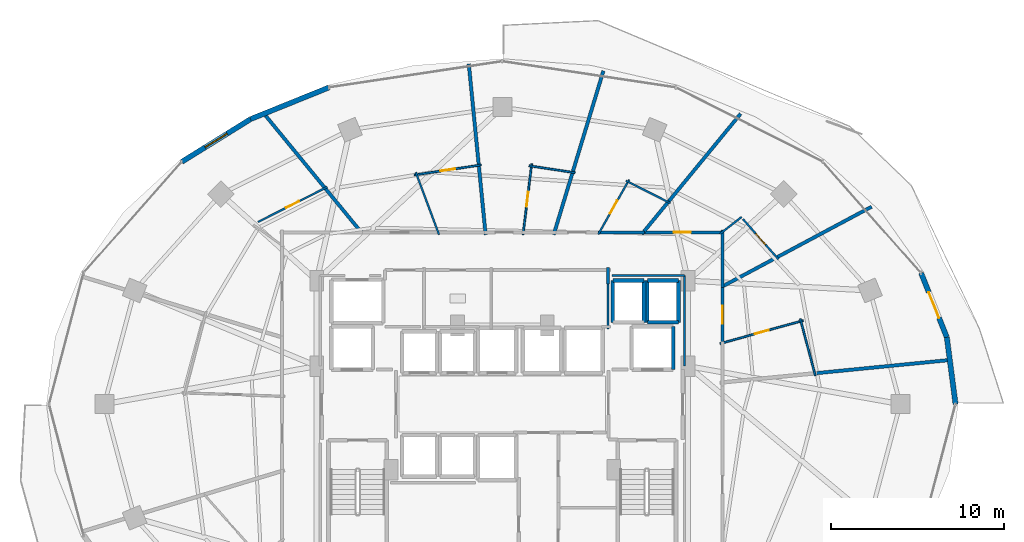
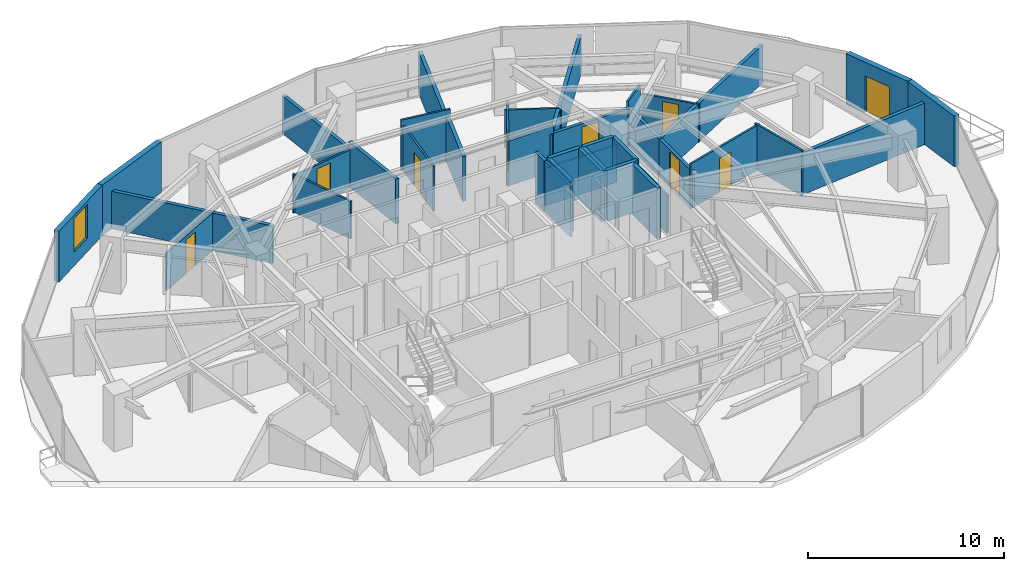
# One storey, part 25 of 29: 40 walls, 9 doors, 1 window, 10 openings.
"""IFC4 building model written with IfcOpenShell, lengths in metres."""

from ifc_helpers import new_model, si_unit, direction, frame, frame_2d, origin, place, context, subcontext, project, spatial, rectangle, extrude, material, layer, layer_set, type_object, element, fill, save


model = new_model("IFC4")

# Units and contexts
model_context = context("Model", 3, precision=1e-05, world=origin(), true_north=direction((0.0, 1.0)))
body_context = subcontext(model_context, "Body", "Model", "MODEL_VIEW")
ifc_project = project(units=[si_unit("LENGTHUNIT", "METRE"), si_unit("AREAUNIT", "SQUARE_METRE"), si_unit("VOLUMEUNIT", "CUBIC_METRE"), si_unit("PLANEANGLEUNIT", "RADIAN"), si_unit("MASSUNIT", "GRAM", prefix="KILO")], contexts=[model_context])

# Site, building, storey
site_placement = place(None, origin())
site = spatial("IfcSite", under=ifc_project, at=site_placement, CompositionType="ELEMENT")
building_placement = place(site_placement, origin())
building = spatial("IfcBuilding", under=site, at=building_placement, Name="Vorneva Point Tower", CompositionType="ELEMENT")
storey_placement = place(building_placement, frame((0.0, 0.0, 120.800048828125)))
storey = spatial("IfcBuildingStorey", under=building, at=storey_placement, Name="L32", CompositionType="ELEMENT", Elevation=120.800048828125)

# Walls
ifc_material_1 = material(Name="Concrete B60 (C50/60)", Category="concrete")
ifc_layer_1 = layer(ifc_material_1, 0.5)
ifc_layer_set_1 = layer_set([ifc_layer_1], Name="Concrete B60 (C50/60)")
wall_type_1 = type_object("IfcWallType", Name="WL-CORE-500", PredefinedType="SHEAR", material=ifc_layer_set_1)
wall_1_placement = place(storey_placement, frame((47.89990234375, 28.0, 0.0), z_axis=(0.0, 0.0, 1.0), x_axis=(0.0, 1.0, 0.0)))
element("IfcWall", 1, at=wall_1_placement, inside=storey, type_object=wall_type_1, Name="L32 Lift FFL2 Shaft Wall +X", PredefinedType="SHEAR", context=body_context, shape_type="SweptSolid", body=[
    extrude(rectangle(XDim=2.5, YDim=0.219970703125, at=frame_2d((1.25, 0.0))), origin(), (0.0, 0.0, 1.0), 3.14990234375),
])
ifc_material_2 = material(Name="Precast concrete B50 (C40/50)", Category="concrete")
ifc_layer_2 = layer(ifc_material_2, 0.300048828125)
ifc_layer_set_2 = layer_set([ifc_layer_2], Name="Precast concrete B50 (C40/50)")
wall_type_2 = type_object("IfcWallType", Name="WL-EXT-300", PredefinedType="STANDARD", material=ifc_layer_set_2)
wall_2_placement = place(storey_placement, frame((64.25, 26.0, 0.0), z_axis=(0.0, 0.0, 1.0), x_axis=(-0.129157444793, 0.991624099372, 0.0)))
element("IfcWall", 2, at=wall_2_placement, inside=storey, type_object=wall_type_2, Name="L32 Pale-Metal Facade Spandrel Wall 01.1", PredefinedType="STANDARD", context=body_context, shape_type="SweptSolid", body=[
    extrude(rectangle(XDim=3.9052734375, YDim=0.300048828125, at=frame_2d((1.95263671875, 0.0))), origin(), (0.0, 0.0, 1.0), 3.14990234375),
])

# Wall, opening, door
wall_3_placement = place(storey_placement, frame((63.74560546875, 29.87255859375, 0.0), z_axis=(0.0, 0.0, 1.0), x_axis=(-0.372345205928, 0.92809430966, 0.0)))
wall_3 = element("IfcWall", 3, at=wall_3_placement, inside=storey, type_object=wall_type_2, Name="L32 Pale-Metal Facade Spandrel Wall 01.2", PredefinedType="STANDARD", context=body_context, shape_type="SweptSolid", body=[
    extrude(rectangle(XDim=4.01220703125, YDim=0.300048828125, at=frame_2d((2.006103515625, 0.0))), origin(), (0.0, 0.0, 1.0), 3.14990234375),
])
opening_1_placement = place(wall_3_placement, frame((1.2060546875, 0.0, 0.0)))
opening_1 = element("IfcOpeningElement", 4, at=opening_1_placement, cuts=wall_3, Name="Opening BD-01", PredefinedType="OPENING", context=body_context, shape_type="SweptSolid", body=[
    extrude(rectangle(XDim=1.60009765625, YDim=2.300048828125, at=frame_2d((0.800048828125, 1.14990234375))), frame((0.0, 0.1650390625, 0.0), z_axis=(0.0, -1.0, 0.0), x_axis=(1.0, 0.0, 0.0)), (0.0, 0.0, 1.0), 0.329833984375),
])
ifc_material_3 = material(Name="Pale anodised aluminium", Category="aluminium")
door_type_1 = type_object("IfcDoorType", Name="DR-BAL-1600", OperationType="SLIDING_TO_LEFT", PredefinedType="DOOR", material=ifc_material_3)
door_1_placement = place(opening_1_placement, origin())
door_1 = element("IfcDoor", 5, at=door_1_placement, inside=storey, type_object=door_type_1, Name="L32 Balcony Terrace Access Door 01", OperationType="SLIDING_TO_LEFT", OverallHeight=2.300048828125, OverallWidth=1.60009765625, PredefinedType="DOOR", context=body_context, shape_type="SweptSolid", body=[
    extrude(rectangle(XDim=1.60009765625, YDim=2.300048828125, at=frame_2d((0.800048828125, 1.14990234375))), frame((0.0, 0.02490234375, 0.0), z_axis=(0.0, -1.0, 0.0), x_axis=(1.0, 0.0, 0.0)), (0.0, 0.0, 1.0), 0.050048828125),
])
fill(opening_1, door_1)

# Wall
wall_4_placement = place(storey_placement, frame((27.95458984375, 44.339111328125, 0.0), z_axis=(0.0, 0.0, 1.0), x_axis=(-0.927122233109, -0.374759075775, 0.0)))
element("IfcWall", 6, at=wall_4_placement, inside=storey, type_object=wall_type_2, Name="L32 Pale-Metal Facade Spandrel Wall 06.1", PredefinedType="STANDARD", context=body_context, shape_type="SweptSolid", body=[
    extrude(rectangle(XDim=4.89501953125, YDim=0.300048828125, at=frame_2d((2.447509765625, 0.0))), origin(), (0.0, 0.0, 1.0), 3.14990234375),
])

# Wall, opening, window
wall_5_placement = place(storey_placement, frame((23.416259765625, 42.504638671875, 0.0), z_axis=(0.0, 0.0, 1.0), x_axis=(-0.849684479743, -0.527291461038, 0.0)))
wall_5 = element("IfcWall", 7, at=wall_5_placement, inside=storey, type_object=wall_type_2, Name="L32 Pale-Metal Facade Spandrel Wall 06.2", PredefinedType="STANDARD", context=body_context, shape_type="SweptSolid", body=[
    extrude(rectangle(XDim=4.681396484375, YDim=0.300048828125, at=frame_2d((2.3408203125, 0.0))), origin(), (0.0, 0.0, 1.0), 3.14990234375),
])
opening_2_placement = place(wall_5_placement, frame((1.5908203125, 0.0, 0.85009765625)))
opening_2 = element("IfcOpeningElement", 8, at=opening_2_placement, cuts=wall_5, Name="Opening W-02", PredefinedType="OPENING", context=body_context, shape_type="SweptSolid", body=[
    extrude(rectangle(XDim=1.5, YDim=2.10009765625, at=frame_2d((0.75, 1.050048828125))), frame((0.0, 0.1650390625, 0.0), z_axis=(0.0, -1.0, 0.0), x_axis=(1.0, 0.0, 0.0)), (0.0, 0.0, 1.0), 0.329833984375),
])
ifc_material_4 = material(Name="Double low-e laminated glass IGU", Category="glass")
window_type = type_object("IfcWindowType", Name="WN-HTL-1500", PartitioningType="SINGLE_PANEL", PredefinedType="WINDOW", material=ifc_material_4)
window_placement = place(opening_2_placement, origin())
window = element("IfcWindow", 9, at=window_placement, inside=storey, type_object=window_type, Name="L32 Facade Window 06", OverallHeight=2.10009765625, OverallWidth=1.5, PartitioningType="SINGLE_PANEL", PredefinedType="WINDOW", context=body_context, shape_type="SweptSolid", body=[
    extrude(rectangle(XDim=1.5, YDim=2.10009765625, at=frame_2d((0.75, 1.050048828125))), frame((0.0, 0.030029296875, 0.0), z_axis=(0.0, -1.0, 0.0), x_axis=(1.0, 0.0, 0.0)), (0.0, 0.0, 1.0), 0.06005859375),
])
fill(opening_2, window)

# Wall
ifc_material_5 = material(Name="Fire-rated acoustic gypsum stud partition", Category="gypsum")
ifc_layer_3 = layer(ifc_material_5, 0.110107421875)
ifc_layer_set_3 = layer_set([ifc_layer_3], Name="Fire-rated acoustic gypsum stud partition")
wall_type_3 = type_object("IfcWallType", Name="WL-PART-110", PredefinedType="PARTITIONING", material=ifc_layer_set_3)
wall_6_placement = place(storey_placement, frame((55.260498046875, 30.9404296875, 0.0), z_axis=(0.0, 0.0, 1.0), x_axis=(0.254323935255, -0.967119090886, 0.0)))
element("IfcWall", 10, at=wall_6_placement, inside=storey, type_object=wall_type_3, Name="L32 Interior Partition 048", PredefinedType="PARTITIONING", context=body_context, shape_type="SweptSolid", body=[
    extrude(rectangle(XDim=3.406005859375, YDim=0.110107421875, at=frame_2d((1.703125, 0.0))), origin(), (0.0, 0.0, 1.0), 2.8388671875),
])

# Wall, opening, door
wall_7_placement = place(storey_placement, frame((50.614990234375, 29.50439453125, 0.0), z_axis=(0.0, 0.0, 1.0), x_axis=(0.963498313434, 0.267714400078, 0.0)))
wall_7 = element("IfcWall", 11, at=wall_7_placement, inside=storey, type_object=wall_type_3, Name="L32 Interior Partition 049", PredefinedType="PARTITIONING", context=body_context, shape_type="SweptSolid", body=[
    extrude(rectangle(XDim=4.998291015625, YDim=0.110107421875, at=frame_2d((2.4990234375, 0.0))), origin(), (0.0, 0.0, 1.0), 2.783935546875),
])
opening_3_placement = place(wall_7_placement, frame((2.07421875, 0.0, 0.0)))
opening_3 = element("IfcOpeningElement", 12, at=opening_3_placement, cuts=wall_7, Name="Opening ID-02", PredefinedType="OPENING", context=body_context, shape_type="SweptSolid", body=[
    extrude(rectangle(XDim=0.85009765625, YDim=2.10009765625, at=frame_2d((0.425048828125, 1.050048828125))), frame((0.0, 0.06982421875, 0.0), z_axis=(0.0, -1.0, 0.0), x_axis=(1.0, 0.0, 0.0)), (0.0, 0.0, 1.0), 0.139892578125),
])
ifc_material_6 = material(Name="Engineered oak fire-rated door leaf", Category="wood")
door_type_2 = type_object("IfcDoorType", Name="DR-BATH-850", OperationType="NOTDEFINED", PredefinedType="DOOR", material=ifc_material_6)
door_2_placement = place(opening_3_placement, origin())
door_2 = element("IfcDoor", 13, at=door_2_placement, inside=storey, type_object=door_type_2, Name="L32 Door Junior Suite L32-01 / En-Suite Bathroom L32-01", OperationType="SINGLE_SWING_LEFT", OverallHeight=2.10009765625, OverallWidth=0.85009765625, PredefinedType="DOOR", context=body_context, shape_type="SweptSolid", body=[
    extrude(rectangle(XDim=0.85009765625, YDim=2.10009765625, at=frame_2d((0.425048828125, 1.050048828125))), frame((0.0, 0.02490234375, 0.0), z_axis=(0.0, -1.0, 0.0), x_axis=(1.0, 0.0, 0.0)), (0.0, 0.0, 1.0), 0.050048828125),
])
fill(opening_3, door_2)

wall_8_placement = place(storey_placement, frame((51.936279296875, 36.7138671875, 0.0), z_axis=(0.0, 0.0, 1.0), x_axis=(0.662322264705, -0.749219071885, 0.0)))
wall_8 = element("IfcWall", 14, at=wall_8_placement, inside=storey, type_object=wall_type_3, Name="L32 Interior Partition 053", PredefinedType="PARTITIONING", context=body_context, shape_type="SweptSolid", body=[
    extrude(rectangle(XDim=3.098876953125, YDim=0.110107421875, at=frame_2d((1.54931640625, 0.0))), origin(), (0.0, 0.0, 1.0), 2.342041015625),
])
opening_4_placement = place(wall_8_placement, frame((1.12451171875, 0.0, 0.0)))
opening_4 = element("IfcOpeningElement", 15, at=opening_4_placement, cuts=wall_8, Name="Opening ID-02", PredefinedType="OPENING", context=body_context, shape_type="SweptSolid", body=[
    extrude(rectangle(XDim=0.85009765625, YDim=2.10009765625, at=frame_2d((0.425048828125, 1.050048828125))), frame((0.0, 0.06982421875, 0.0), z_axis=(0.0, -1.0, 0.0), x_axis=(1.0, 0.0, 0.0)), (0.0, 0.0, 1.0), 0.139892578125),
])
door_3_placement = place(opening_4_placement, origin())
door_3 = element("IfcDoor", 16, at=door_3_placement, inside=storey, type_object=door_type_2, Name="L32 Door King Guest Room L32-02 / En-Suite Bathroom L32-02", OperationType="SINGLE_SWING_RIGHT", OverallHeight=2.10009765625, OverallWidth=0.85009765625, PredefinedType="DOOR", context=body_context, shape_type="SweptSolid", body=[
    extrude(rectangle(XDim=0.85009765625, YDim=2.10009765625, at=frame_2d((0.425048828125, 1.050048828125))), frame((0.0, 0.02490234375, 0.0), z_axis=(0.0, -1.0, 0.0), x_axis=(1.0, 0.0, 0.0)), (0.0, 0.0, 1.0), 0.050048828125),
])
fill(opening_4, door_3)

# Wall
wall_9_placement = place(storey_placement, frame((50.61376953125, 35.86376953125, 0.0), z_axis=(0.0, 0.0, 1.0), x_axis=(0.787635392766, 0.616141613643, 0.0)))
element("IfcWall", 17, at=wall_9_placement, inside=storey, type_object=wall_type_3, Name="L32 Interior Partition 054", PredefinedType="PARTITIONING", context=body_context, shape_type="SweptSolid", body=[
    extrude(rectangle(XDim=1.580322265625, YDim=0.110107421875, at=frame_2d((0.7900390625, 0.0))), origin(), (0.0, 0.0, 1.0), 2.8388671875),
])

# Wall, opening, door
wall_10_placement = place(storey_placement, frame((43.55517578125, 35.828125, 0.0), z_axis=(0.0, 0.0, 1.0), x_axis=(0.492041800526, 0.870571574619, 0.0)))
wall_10 = element("IfcWall", 18, at=wall_10_placement, inside=storey, type_object=wall_type_3, Name="L32 Interior Partition 057", PredefinedType="PARTITIONING", context=body_context, shape_type="SweptSolid", body=[
    extrude(rectangle(XDim=3.6435546875, YDim=0.110107421875, at=frame_2d((1.82177734375, 0.0))), origin(), (0.0, 0.0, 1.0), 2.783935546875),
])
opening_5_placement = place(wall_10_placement, frame((1.396728515625, 0.0, 0.0)))
opening_5 = element("IfcOpeningElement", 19, at=opening_5_placement, cuts=wall_10, Name="Opening ID-02", PredefinedType="OPENING", context=body_context, shape_type="SweptSolid", body=[
    extrude(rectangle(XDim=0.85009765625, YDim=2.10009765625, at=frame_2d((0.425048828125, 1.050048828125))), frame((0.0, 0.06982421875, 0.0), z_axis=(0.0, -1.0, 0.0), x_axis=(1.0, 0.0, 0.0)), (0.0, 0.0, 1.0), 0.139892578125),
])
door_4_placement = place(opening_5_placement, origin())
door_4 = element("IfcDoor", 20, at=door_4_placement, inside=storey, type_object=door_type_2, Name="L32 Door Twin Guest Room L32-03 / En-Suite Bathroom L32-03", OperationType="SINGLE_SWING_LEFT", OverallHeight=2.10009765625, OverallWidth=0.85009765625, PredefinedType="DOOR", context=body_context, shape_type="SweptSolid", body=[
    extrude(rectangle(XDim=0.85009765625, YDim=2.10009765625, at=frame_2d((0.425048828125, 1.050048828125))), frame((0.0, 0.02490234375, 0.0), z_axis=(0.0, -1.0, 0.0), x_axis=(1.0, 0.0, 0.0)), (0.0, 0.0, 1.0), 0.050048828125),
])
fill(opening_5, door_4)

# Wall
wall_11_placement = place(storey_placement, frame((45.154052734375, 38.941162109375, 0.0), z_axis=(0.0, 0.0, 1.0), x_axis=(0.892575386964, -0.450898190932, 0.0)))
element("IfcWall", 21, at=wall_11_placement, inside=storey, type_object=wall_type_3, Name="L32 Interior Partition 058", PredefinedType="PARTITIONING", context=body_context, shape_type="SweptSolid", body=[
    extrude(rectangle(XDim=2.885986328125, YDim=0.110107421875, at=frame_2d((1.44287109375, 0.0))), origin(), (0.0, 0.0, 1.0), 2.342041015625),
])

# Wall, opening, door
wall_12_placement = place(storey_placement, frame((39.199951171875, 35.81103515625, 0.0), z_axis=(0.0, 0.0, 1.0), x_axis=(0.121465313896, 0.992595676759, 0.0)))
wall_12 = element("IfcWall", 22, at=wall_12_placement, inside=storey, type_object=wall_type_3, Name="L32 Interior Partition 061", PredefinedType="PARTITIONING", context=body_context, shape_type="SweptSolid", body=[
    extrude(rectangle(XDim=4.140625, YDim=0.110107421875, at=frame_2d((2.0703125, 0.0))), origin(), (0.0, 0.0, 1.0), 2.783935546875),
])
opening_6_placement = place(wall_12_placement, frame((1.645263671875, 0.0, 0.0)))
opening_6 = element("IfcOpeningElement", 23, at=opening_6_placement, cuts=wall_12, Name="Opening ID-02", PredefinedType="OPENING", context=body_context, shape_type="SweptSolid", body=[
    extrude(rectangle(XDim=0.85009765625, YDim=2.10009765625, at=frame_2d((0.425048828125, 1.050048828125))), frame((0.0, 0.06982421875, 0.0), z_axis=(0.0, -1.0, 0.0), x_axis=(1.0, 0.0, 0.0)), (0.0, 0.0, 1.0), 0.139892578125),
])
door_5_placement = place(opening_6_placement, origin())
door_5 = element("IfcDoor", 24, at=door_5_placement, inside=storey, type_object=door_type_2, Name="L32 Door Deluxe Guest Room L32-04 / En-Suite Bathroom L32-04", OperationType="SINGLE_SWING_RIGHT", OverallHeight=2.10009765625, OverallWidth=0.85009765625, PredefinedType="DOOR", context=body_context, shape_type="SweptSolid", body=[
    extrude(rectangle(XDim=0.85009765625, YDim=2.10009765625, at=frame_2d((0.425048828125, 1.050048828125))), frame((0.0, 0.02490234375, 0.0), z_axis=(0.0, -1.0, 0.0), x_axis=(1.0, 0.0, 0.0)), (0.0, 0.0, 1.0), 0.050048828125),
])
fill(opening_6, door_5)

# Walls
wall_13_placement = place(storey_placement, frame((39.547607421875, 39.802734375, 0.0), z_axis=(0.0, 0.0, 1.0), x_axis=(0.988870418897, -0.148779348804, 0.0)))
element("IfcWall", 25, at=wall_13_placement, inside=storey, type_object=wall_type_3, Name="L32 Interior Partition 062", PredefinedType="PARTITIONING", context=body_context, shape_type="SweptSolid", body=[
    extrude(rectangle(XDim=2.69287109375, YDim=0.110107421875, at=frame_2d((1.346435546875, 0.0))), origin(), (0.0, 0.0, 1.0), 3.14990234375),
])
wall_14_placement = place(storey_placement, frame((34.333984375, 35.81884765625, 0.0), z_axis=(0.0, 0.0, 1.0), x_axis=(-0.349780170638, 0.93683180573, 0.0)))
element("IfcWall", 26, at=wall_14_placement, inside=storey, type_object=wall_type_3, Name="L32 Interior Partition 065", PredefinedType="PARTITIONING", context=body_context, shape_type="SweptSolid", body=[
    extrude(rectangle(XDim=3.84521484375, YDim=0.110107421875, at=frame_2d((1.922607421875, 0.0))), origin(), (0.0, 0.0, 1.0), 2.342041015625),
])

# Wall, opening, door
wall_15_placement = place(storey_placement, frame((32.899658203125, 39.269287109375, 0.0), z_axis=(0.0, 0.0, 1.0), x_axis=(0.988898406133, 0.148593210973, 0.0)))
wall_15 = element("IfcWall", 27, at=wall_15_placement, inside=storey, type_object=wall_type_3, Name="L32 Interior Partition 066", PredefinedType="PARTITIONING", context=body_context, shape_type="SweptSolid", body=[
    extrude(rectangle(XDim=3.920166015625, YDim=0.110107421875, at=frame_2d((1.9599609375, 0.0))), origin(), (0.0, 0.0, 1.0), 2.342041015625),
])
opening_7_placement = place(wall_15_placement, frame((1.53515625, 0.0, 0.0)))
opening_7 = element("IfcOpeningElement", 28, at=opening_7_placement, cuts=wall_15, Name="Opening ID-02", PredefinedType="OPENING", context=body_context, shape_type="SweptSolid", body=[
    extrude(rectangle(XDim=0.85009765625, YDim=2.10009765625, at=frame_2d((0.425048828125, 1.050048828125))), frame((0.0, 0.06982421875, 0.0), z_axis=(0.0, -1.0, 0.0), x_axis=(1.0, 0.0, 0.0)), (0.0, 0.0, 1.0), 0.139892578125),
])
door_6_placement = place(opening_7_placement, origin())
door_6 = element("IfcDoor", 29, at=door_6_placement, inside=storey, type_object=door_type_2, Name="L32 Door Executive Suite L32-05 / En-Suite Bathroom L32-05", OperationType="SINGLE_SWING_LEFT", OverallHeight=2.10009765625, OverallWidth=0.85009765625, PredefinedType="DOOR", context=body_context, shape_type="SweptSolid", body=[
    extrude(rectangle(XDim=0.85009765625, YDim=2.10009765625, at=frame_2d((0.425048828125, 1.050048828125))), frame((0.0, 0.02490234375, 0.0), z_axis=(0.0, -1.0, 0.0), x_axis=(1.0, 0.0, 0.0)), (0.0, 0.0, 1.0), 0.050048828125),
])
fill(opening_7, door_6)

wall_16_placement = place(storey_placement, frame((23.845947265625, 36.5458984375, 0.0), z_axis=(0.0, 0.0, 1.0), x_axis=(0.892540033684, 0.450968167692, 0.0)))
wall_16 = element("IfcWall", 30, at=wall_16_placement, inside=storey, type_object=wall_type_3, Name="L32 Interior Partition 068", PredefinedType="PARTITIONING", context=body_context, shape_type="SweptSolid", body=[
    extrude(rectangle(XDim=4.494873046875, YDim=0.110107421875, at=frame_2d((2.24755859375, 0.0))), origin(), (0.0, 0.0, 1.0), 2.342041015625),
])
opening_8_placement = place(wall_16_placement, frame((1.822509765625, 0.0, 0.0)))
opening_8 = element("IfcOpeningElement", 31, at=opening_8_placement, cuts=wall_16, Name="Opening ID-02", PredefinedType="OPENING", context=body_context, shape_type="SweptSolid", body=[
    extrude(rectangle(XDim=0.85009765625, YDim=2.10009765625, at=frame_2d((0.425048828125, 1.050048828125))), frame((0.0, 0.06982421875, 0.0), z_axis=(0.0, -1.0, 0.0), x_axis=(1.0, 0.0, 0.0)), (0.0, 0.0, 1.0), 0.139892578125),
])
door_7_placement = place(opening_8_placement, origin())
door_7 = element("IfcDoor", 32, at=door_7_placement, inside=storey, type_object=door_type_2, Name="L32 Door Corner Suite L32-06 / En-Suite Bathroom L32-06", OperationType="SINGLE_SWING_RIGHT", OverallHeight=2.10009765625, OverallWidth=0.85009765625, PredefinedType="DOOR", context=body_context, shape_type="SweptSolid", body=[
    extrude(rectangle(XDim=0.85009765625, YDim=2.10009765625, at=frame_2d((0.425048828125, 1.050048828125))), frame((0.0, 0.02490234375, 0.0), z_axis=(0.0, -1.0, 0.0), x_axis=(1.0, 0.0, 0.0)), (0.0, 0.0, 1.0), 0.050048828125),
])
fill(opening_8, door_7)

# Walls
ifc_layer_4 = layer(ifc_material_5, 0.139892578125)
ifc_layer_set_4 = layer_set([ifc_layer_4], Name="Fire-rated acoustic gypsum stud partition")
wall_type_4 = type_object("IfcWallType", Name="WL-PART-140", PredefinedType="PARTITIONING", material=ifc_layer_set_4)
wall_17_placement = place(storey_placement, frame((44.1201171875, 30.340087890625, 0.0), z_axis=(0.0, 0.0, 1.0), x_axis=(0.0, 1.0, 0.0)))
element("IfcWall", 33, at=wall_17_placement, inside=storey, type_object=wall_type_4, Name="L32 Interior Closure Partition 094", PredefinedType="PARTITIONING", context=body_context, shape_type="SweptSolid", body=[
    extrude(rectangle(XDim=2.659912109375, YDim=0.139892578125, at=frame_2d((1.330078125, 0.0))), origin(), (0.0, 0.0, 1.0), 3.14990234375),
])
wall_18_placement = place(storey_placement, frame((44.340087890625, 33.449951171875, 0.0), z_axis=(0.0, 0.0, 1.0), x_axis=(1.0, 0.0, 0.0)))
element("IfcWall", 34, at=wall_18_placement, inside=storey, type_object=wall_type_4, Name="L32 Interior Closure Partition 096", PredefinedType="PARTITIONING", context=body_context, shape_type="SweptSolid", body=[
    extrude(rectangle(XDim=4.2099609375, YDim=0.139892578125, at=frame_2d((2.10498046875, 0.0))), origin(), (0.0, 0.0, 1.0), 2.342041015625),
])
wall_19_placement = place(storey_placement, frame((48.550048828125, 33.449951171875, 0.0), z_axis=(0.0, 0.0, 1.0), x_axis=(0.0, -1.0, 0.0)))
element("IfcWall", 35, at=wall_19_placement, inside=storey, type_object=wall_type_4, Name="L32 Interior Closure Partition 097", PredefinedType="PARTITIONING", context=body_context, shape_type="SweptSolid", body=[
    extrude(rectangle(XDim=5.25390625, YDim=0.139892578125, at=frame_2d((2.626953125, 0.0))), origin(), (0.0, 0.0, 1.0), 2.342041015625),
])
ifc_material_7 = material(Name="Autoclaved aerated concrete blockwork", Category="masonry")
ifc_layer_5 = layer(ifc_material_7, 0.179931640625)
ifc_layer_set_5 = layer_set([ifc_layer_5], Name="Autoclaved aerated concrete blockwork")
wall_type_5 = type_object("IfcWallType", Name="WL-PART-180", PredefinedType="PARTITIONING", material=ifc_layer_set_5)
wall_20_placement = place(storey_placement, frame((44.1201171875, 32.969970703125, 0.0), z_axis=(0.0, 0.0, 1.0), x_axis=(0.0, 1.0, 0.0)))
element("IfcWall", 36, at=wall_20_placement, inside=storey, type_object=wall_type_5, Name="L32 Interior Partition 020", PredefinedType="PARTITIONING", context=body_context, shape_type="SweptSolid", body=[
    extrude(rectangle(XDim=0.929931640625, YDim=0.179931640625, at=frame_2d((0.46484375, 0.0))), origin(), (0.0, 0.0, 1.0), 3.14990234375),
])

# Wall, opening, door
wall_21_placement = place(storey_placement, frame((50.75, 29.48193359375, 0.0), z_axis=(0.0, 0.0, 1.0), x_axis=(0.0, 1.0, 0.0)))
wall_21 = element("IfcWall", 37, at=wall_21_placement, inside=storey, type_object=wall_type_5, Name="L32 Interior Partition 022", PredefinedType="PARTITIONING", context=body_context, shape_type="SweptSolid", body=[
    extrude(rectangle(XDim=3.401123046875, YDim=0.179931640625, at=frame_2d((1.70068359375, 0.0))), origin(), (0.0, 0.0, 1.0), 2.342041015625),
])
opening_9_placement = place(wall_21_placement, frame((1.175537109375, 0.0, 0.0)))
opening_9 = element("IfcOpeningElement", 38, at=opening_9_placement, cuts=wall_21, Name="Opening UD-02", PredefinedType="OPENING", context=body_context, shape_type="SweptSolid", body=[
    extrude(rectangle(XDim=1.050048828125, YDim=2.199951171875, at=frame_2d((0.52490234375, 1.10009765625))), frame((0.0, 0.10498046875, 0.0), z_axis=(0.0, -1.0, 0.0), x_axis=(1.0, 0.0, 0.0)), (0.0, 0.0, 1.0), 0.209716796875),
])
door_type_3 = type_object("IfcDoorType", Name="DR-SUITE-1050", OperationType="NOTDEFINED", PredefinedType="DOOR", material=ifc_material_6)
door_8_placement = place(opening_9_placement, origin())
door_8 = element("IfcDoor", 39, at=door_8_placement, inside=storey, type_object=door_type_3, Name="L32 Door L32 Circulation Corridor / Junior Suite L32-01", OperationType="SINGLE_SWING_RIGHT", OverallHeight=2.199951171875, OverallWidth=1.050048828125, PredefinedType="DOOR", context=body_context, shape_type="SweptSolid", body=[
    extrude(rectangle(XDim=1.050048828125, YDim=2.199951171875, at=frame_2d((0.52490234375, 1.10009765625))), frame((0.0, 0.02490234375, 0.0), z_axis=(0.0, -1.0, 0.0), x_axis=(1.0, 0.0, 0.0)), (0.0, 0.0, 1.0), 0.050048828125),
])
fill(opening_9, door_8)

wall_22_placement = place(storey_placement, frame((50.75, 35.949951171875, 0.0), z_axis=(0.0, 0.0, 1.0), x_axis=(-1.0, 0.0, 0.0)))
wall_22 = element("IfcWall", 40, at=wall_22_placement, inside=storey, type_object=wall_type_5, Name="L32 Interior Partition 024", PredefinedType="PARTITIONING", context=body_context, shape_type="SweptSolid", body=[
    extrude(rectangle(XDim=4.64404296875, YDim=0.179931640625, at=frame_2d((2.322021484375, 0.0))), origin(), (0.0, 0.0, 1.0), 2.342041015625),
])
opening_10_placement = place(wall_22_placement, frame((1.822021484375, 0.0, 0.0)))
opening_10 = element("IfcOpeningElement", 41, at=opening_10_placement, cuts=wall_22, Name="Opening UD-01", PredefinedType="OPENING", context=body_context, shape_type="SweptSolid", body=[
    extrude(rectangle(XDim=1.0, YDim=2.14990234375, at=frame_2d((0.5, 1.074951171875))), frame((0.0, 0.10498046875, 0.0), z_axis=(0.0, -1.0, 0.0), x_axis=(1.0, 0.0, 0.0)), (0.0, 0.0, 1.0), 0.209716796875),
])
door_type_4 = type_object("IfcDoorType", Name="DR-UNIT-1000", OperationType="NOTDEFINED", PredefinedType="DOOR", material=ifc_material_6)
door_9_placement = place(opening_10_placement, origin())
door_9 = element("IfcDoor", 42, at=door_9_placement, inside=storey, type_object=door_type_4, Name="L32 Door L32 Circulation Corridor / King Guest Room L32-02", OperationType="SINGLE_SWING_LEFT", OverallHeight=2.14990234375, OverallWidth=1.0, PredefinedType="DOOR", context=body_context, shape_type="SweptSolid", body=[
    extrude(rectangle(XDim=1.0, YDim=2.14990234375, at=frame_2d((0.5, 1.074951171875))), frame((0.0, 0.02490234375, 0.0), z_axis=(0.0, -1.0, 0.0), x_axis=(1.0, 0.0, 0.0)), (0.0, 0.0, 1.0), 0.050048828125),
])
fill(opening_10, door_9)

# Walls
wall_23_placement = place(storey_placement, frame((50.75, 32.742919921875, 0.0), z_axis=(0.0, 0.0, 1.0), x_axis=(0.0, 1.0, 0.0)))
element("IfcWall", 43, at=wall_23_placement, inside=storey, type_object=wall_type_5, Name="L32 Interior Partition 025", PredefinedType="PARTITIONING", context=body_context, shape_type="SweptSolid", body=[
    extrude(rectangle(XDim=3.34716796875, YDim=0.179931640625, at=frame_2d((1.673583984375, 0.0))), origin(), (0.0, 0.0, 1.0), 2.342041015625),
])
wall_24_placement = place(storey_placement, frame((46.24609375, 35.949951171875, 0.0), z_axis=(0.0, 0.0, 1.0), x_axis=(-1.0, 0.0, 0.0)))
element("IfcWall", 44, at=wall_24_placement, inside=storey, type_object=wall_type_5, Name="L32 Interior Partition 027", PredefinedType="PARTITIONING", context=body_context, shape_type="SweptSolid", body=[
    extrude(rectangle(XDim=2.693115234375, YDim=0.179931640625, at=frame_2d((1.3466796875, 0.0))), origin(), (0.0, 0.0, 1.0), 2.783935546875),
])
ifc_layer_6 = layer(ifc_material_7, 0.199951171875)
ifc_layer_set_6 = layer_set([ifc_layer_6], Name="Autoclaved aerated concrete blockwork")
wall_type_6 = type_object("IfcWallType", Name="WL-PART-200", PredefinedType="PARTITIONING", material=ifc_layer_set_6)
wall_25_placement = place(storey_placement, frame((59.384033203125, 37.429931640625, 0.0), z_axis=(0.0, 0.0, 1.0), x_axis=(-0.881921122551, -0.471397002109, 0.0)))
element("IfcWall", 45, at=wall_25_placement, inside=storey, type_object=wall_type_6, Name="L32 Interior Partition 050", PredefinedType="PARTITIONING", context=body_context, shape_type="SweptSolid", body=[
    extrude(rectangle(XDim=9.7900390625, YDim=0.199951171875, at=frame_2d((4.89501953125, 0.0))), origin(), (0.0, 0.0, 1.0), 2.342041015625),
])
wall_26_placement = place(storey_placement, frame((56.091064453125, 27.781982421875, 0.0), z_axis=(0.0, 0.0, 1.0), x_axis=(0.995182127762, 0.098043523927, 0.0)))
element("IfcWall", 46, at=wall_26_placement, inside=storey, type_object=wall_type_6, Name="L32 Interior Partition 051", PredefinedType="PARTITIONING", context=body_context, shape_type="SweptSolid", body=[
    extrude(rectangle(XDim=7.86376953125, YDim=0.199951171875, at=frame_2d((3.931884765625, 0.0))), origin(), (0.0, 0.0, 1.0), 2.5869140625),
])
wall_27_placement = place(storey_placement, frame((51.802001953125, 42.818115234375, 0.0), z_axis=(0.0, 0.0, 1.0), x_axis=(-0.634361991629, -0.773036133422, 0.0)))
element("IfcWall", 47, at=wall_27_placement, inside=storey, type_object=wall_type_6, Name="L32 Interior Partition 055", PredefinedType="PARTITIONING", context=body_context, shape_type="SweptSolid", body=[
    extrude(rectangle(XDim=6.677734375, YDim=0.199951171875, at=frame_2d((3.3388671875, 0.0))), origin(), (0.0, 0.0, 1.0), 2.342041015625),
])
wall_28_placement = place(storey_placement, frame((47.65478515625, 37.764404296875, 0.0), z_axis=(0.0, 0.0, 1.0), x_axis=(-0.634343688691, -0.773051152653, 0.0)))
element("IfcWall", 48, at=wall_28_placement, inside=storey, type_object=wall_type_6, Name="L32 Interior Partition 056", PredefinedType="PARTITIONING", context=body_context, shape_type="SweptSolid", body=[
    extrude(rectangle(XDim=2.487060546875, YDim=0.199951171875, at=frame_2d((1.24365234375, 0.0))), origin(), (0.0, 0.0, 1.0), 2.342041015625),
])
wall_29_placement = place(storey_placement, frame((43.85498046875, 45.300048828125, 0.0), z_axis=(0.0, 0.0, 1.0), x_axis=(-0.290379913604, -0.956911440926, 0.0)))
element("IfcWall", 49, at=wall_29_placement, inside=storey, type_object=wall_type_6, Name="L32 Interior Partition 059", PredefinedType="PARTITIONING", context=body_context, shape_type="SweptSolid", body=[
    extrude(rectangle(XDim=6.202392578125, YDim=0.199951171875, at=frame_2d((3.10107421875, 0.0))), origin(), (0.0, 0.0, 1.0), 2.5869140625),
])
wall_30_placement = place(storey_placement, frame((42.0947265625, 39.498779296875, 0.0), z_axis=(0.0, 0.0, 1.0), x_axis=(-0.290343654158, -0.956922443299, 0.0)))
element("IfcWall", 50, at=wall_30_placement, inside=storey, type_object=wall_type_6, Name="L32 Interior Partition 060", PredefinedType="PARTITIONING", context=body_context, shape_type="SweptSolid", body=[
    extrude(rectangle(XDim=3.8486328125, YDim=0.199951171875, at=frame_2d((1.92431640625, 0.0))), origin(), (0.0, 0.0, 1.0), 2.783935546875),
])
wall_31_placement = place(storey_placement, frame((36.05908203125, 45.705078125, 0.0), z_axis=(0.0, 0.0, 1.0), x_axis=(0.098100995962, -0.995176464046, 0.0)))
element("IfcWall", 51, at=wall_31_placement, inside=storey, type_object=wall_type_6, Name="L32 Interior Partition 063", PredefinedType="PARTITIONING", context=body_context, shape_type="SweptSolid", body=[
    extrude(rectangle(XDim=5.962890625, YDim=0.199951171875, at=frame_2d((2.9814453125, 0.0))), origin(), (0.0, 0.0, 1.0), 2.342041015625),
])
wall_32_placement = place(storey_placement, frame((36.630126953125, 39.910400390625, 0.0), z_axis=(0.0, 0.0, 1.0), x_axis=(0.097966212623, -0.995189741298, 0.0)))
element("IfcWall", 52, at=wall_32_placement, inside=storey, type_object=wall_type_6, Name="L32 Interior Partition 064", PredefinedType="PARTITIONING", context=body_context, shape_type="SweptSolid", body=[
    extrude(rectangle(XDim=4.119384765625, YDim=0.199951171875, at=frame_2d((2.0595703125, 0.0))), origin(), (0.0, 0.0, 1.0), 2.783935546875),
])
wall_33_placement = place(storey_placement, frame((24.197998046875, 42.818115234375, 0.0), z_axis=(0.0, 0.0, 1.0), x_axis=(0.634354930471, -0.773041927833, 0.0)))
element("IfcWall", 53, at=wall_33_placement, inside=storey, type_object=wall_type_6, Name="L32 Interior Partition 067", PredefinedType="PARTITIONING", context=body_context, shape_type="SweptSolid", body=[
    extrude(rectangle(XDim=8.884521484375, YDim=0.199951171875, at=frame_2d((4.4423828125, 0.0))), origin(), (0.0, 0.0, 1.0), 2.342041015625),
])
ifc_material_8 = material(Name="Concrete B50 (C40/50)", Category="concrete")
ifc_layer_7 = layer(ifc_material_8, 0.219970703125)
ifc_layer_set_7 = layer_set([ifc_layer_7], Name="Concrete B50 (C40/50)")
wall_type_7 = type_object("IfcWallType", Name="WL-SHFT-220", PredefinedType="SOLIDWALL", material=ifc_layer_set_7)
wall_34_placement = place(storey_placement, frame((46.199951171875, 30.739990234375, 0.0), z_axis=(0.0, 0.0, 1.0), x_axis=(0.0, 1.0, 0.0)))
element("IfcWall", 54, at=wall_34_placement, inside=storey, type_object=wall_type_7, Name="L32 Lift EX1 Shaft Wall +X", PredefinedType="SOLIDWALL", context=body_context, shape_type="SweptSolid", body=[
    extrude(rectangle(XDim=2.419921875, YDim=0.219970703125, at=frame_2d((1.2099609375, 0.0))), origin(), (0.0, 0.0, 1.0), 3.14990234375),
])
wall_35_placement = place(storey_placement, frame((46.199951171875, 33.159912109375, 0.0), z_axis=(0.0, 0.0, 1.0), x_axis=(-1.0, 0.0, 0.0)))
element("IfcWall", 55, at=wall_35_placement, inside=storey, type_object=wall_type_7, Name="L32 Lift EX1 Shaft Wall +Y", PredefinedType="SOLIDWALL", context=body_context, shape_type="SweptSolid", body=[
    extrude(rectangle(XDim=1.800048828125, YDim=0.219970703125, at=frame_2d((0.89990234375, 0.0))), origin(), (0.0, 0.0, 1.0), 3.14990234375),
])
wall_36_placement = place(storey_placement, frame((44.39990234375, 33.159912109375, 0.0), z_axis=(0.0, 0.0, 1.0), x_axis=(0.0, -1.0, 0.0)))
element("IfcWall", 56, at=wall_36_placement, inside=storey, type_object=wall_type_7, Name="L32 Lift EX1 Shaft Wall -X", PredefinedType="SOLIDWALL", context=body_context, shape_type="SweptSolid", body=[
    extrude(rectangle(XDim=2.419921875, YDim=0.219970703125, at=frame_2d((1.2099609375, 0.0))), origin(), (0.0, 0.0, 1.0), 3.14990234375),
])
wall_37_placement = place(storey_placement, frame((46.39990234375, 30.739990234375, 0.0), z_axis=(0.0, 0.0, 1.0), x_axis=(1.0, 0.0, 0.0)))
element("IfcWall", 57, at=wall_37_placement, inside=storey, type_object=wall_type_7, Name="L32 Lift EX2 Shaft Wall -Y", PredefinedType="SOLIDWALL", context=body_context, shape_type="SweptSolid", body=[
    extrude(rectangle(XDim=1.800048828125, YDim=0.219970703125, at=frame_2d((0.89990234375, 0.0))), origin(), (0.0, 0.0, 1.0), 3.14990234375),
])
wall_38_placement = place(storey_placement, frame((48.199951171875, 30.739990234375, 0.0), z_axis=(0.0, 0.0, 1.0), x_axis=(0.0, 1.0, 0.0)))
element("IfcWall", 58, at=wall_38_placement, inside=storey, type_object=wall_type_7, Name="L32 Lift EX2 Shaft Wall +X", PredefinedType="SOLIDWALL", context=body_context, shape_type="SweptSolid", body=[
    extrude(rectangle(XDim=2.419921875, YDim=0.219970703125, at=frame_2d((1.2099609375, 0.0))), origin(), (0.0, 0.0, 1.0), 3.14990234375),
])
wall_39_placement = place(storey_placement, frame((48.199951171875, 33.159912109375, 0.0), z_axis=(0.0, 0.0, 1.0), x_axis=(-1.0, 0.0, 0.0)))
element("IfcWall", 59, at=wall_39_placement, inside=storey, type_object=wall_type_7, Name="L32 Lift EX2 Shaft Wall +Y", PredefinedType="SOLIDWALL", context=body_context, shape_type="SweptSolid", body=[
    extrude(rectangle(XDim=1.800048828125, YDim=0.219970703125, at=frame_2d((0.89990234375, 0.0))), origin(), (0.0, 0.0, 1.0), 3.14990234375),
])
wall_40_placement = place(storey_placement, frame((46.39990234375, 33.159912109375, 0.0), z_axis=(0.0, 0.0, 1.0), x_axis=(0.0, -1.0, 0.0)))
element("IfcWall", 60, at=wall_40_placement, inside=storey, type_object=wall_type_7, Name="L32 Lift EX2 Shaft Wall -X", PredefinedType="SOLIDWALL", context=body_context, shape_type="SweptSolid", body=[
    extrude(rectangle(XDim=2.419921875, YDim=0.219970703125, at=frame_2d((1.2099609375, 0.0))), origin(), (0.0, 0.0, 1.0), 3.14990234375),
])

save(model, "model.ifc")
